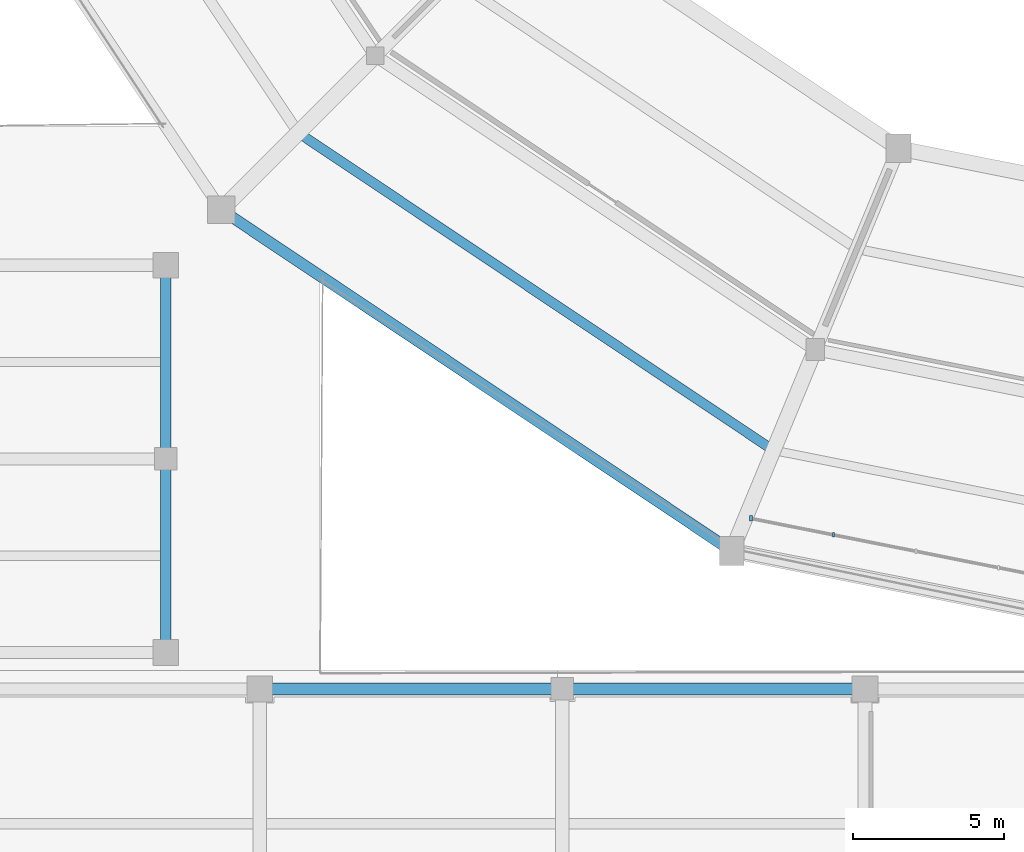
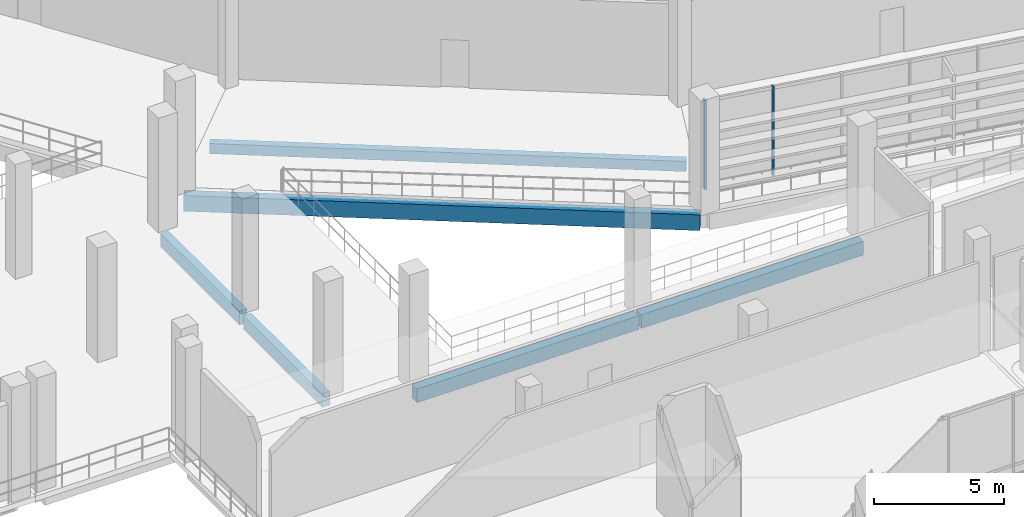
# One storey, part 14 of 114: 6 beams, 2 members, 1 element without a shape of its own.
"""IFC4 building model written with IfcOpenShell, lengths in metres."""

from ifc_helpers import new_model, si_unit, direction, frame, origin, origin_2d, place, context, subcontext, project, spatial, rectangle, extrude, material, material_profile, profile_set, type_object, element, aggregate, save


model = new_model("IFC4")

# Units and contexts
model_context = context("Model", 3, precision=1e-05, world=origin(), true_north=direction((0.0, 1.0)))
body_context = subcontext(model_context, "Body", "Model", "MODEL_VIEW")
ifc_project = project(units=[si_unit("LENGTHUNIT", "METRE"), si_unit("AREAUNIT", "SQUARE_METRE"), si_unit("VOLUMEUNIT", "CUBIC_METRE"), si_unit("PLANEANGLEUNIT", "RADIAN"), si_unit("MASSUNIT", "GRAM", prefix="KILO")], contexts=[model_context])

# Site, building, storey
site_placement = place(None, origin())
site = spatial("IfcSite", under=ifc_project, at=site_placement, CompositionType="ELEMENT")
building_placement = place(site_placement, origin())
building = spatial("IfcBuilding", under=site, at=building_placement, Name="Candeia Ridge Stadium", CompositionType="ELEMENT")
storey_placement = place(building_placement, frame((0.0, 0.0, 5.39990234375)))
storey = spatial("IfcBuildingStorey", under=building, at=storey_placement, Name="L01", CompositionType="ELEMENT", Elevation=5.39990234375)

# Curtain wall, members
ifc_material_1 = material(Name="Aluminium Anodized Warm Bronze", Category="aluminium")
curtain_wall_type = type_object("IfcCurtainWallType", Name="Concourse Recessed Unitised Curtain Wall", PredefinedType="NOTDEFINED", material=ifc_material_1)
curtain_wall_placement = place(storey_placement, origin())
curtain_wall = element("IfcCurtainWall", 1, at=curtain_wall_placement, inside=storey, type_object=curtain_wall_type, Name="Unitised curtain wall CW-BWL-L01-17", PredefinedType="NOTDEFINED")
ifc_material_profile_1 = material_profile(ifc_material_1, rectangle(XDim=0.090087890625, YDim=0.179931640625, at=origin_2d()), Name="CWM-90x180", Category="aluminium")
ifc_profile_set_1 = profile_set([ifc_material_profile_1], Name="Aluminium Anodized Warm Bronze")
member_type_1 = type_object("IfcMemberType", Name="Curtain Wall Primary Mullion 90x180", PredefinedType="MULLION", material=ifc_profile_set_1)
member_1_placement = place(storey_placement, frame((51.736083984375, 24.03173828125, 0.0), z_axis=(0.0, 0.0, 1.0), x_axis=(1.0, 0.0, 0.0)))
member_1 = element("IfcMember", 2, at=member_1_placement, type_object=member_type_1, Name="Curtain wall mullion CW-BWL-L01-17-M0", PredefinedType="MULLION", context=body_context, shape_type="SweptSolid", body=[
    extrude(rectangle(XDim=0.090087890625, YDim=0.179931640625, at=origin_2d()), origin(), (0.0, 0.0, 1.0), 4.205078125),
])
ifc_material_profile_2 = material_profile(ifc_material_1, rectangle(XDim=0.074951171875, YDim=0.14990234375, at=origin_2d()), Name="CWM-75x150", Category="aluminium")
ifc_profile_set_2 = profile_set([ifc_material_profile_2], Name="Aluminium Anodized Warm Bronze")
member_type_2 = type_object("IfcMemberType", Name="Curtain Wall Secondary Mullion 75x150", PredefinedType="MULLION", material=ifc_profile_set_2)
member_2_placement = place(storey_placement, frame((54.462890625, 23.489501953125, 0.0), z_axis=(0.0, 0.0, 1.0), x_axis=(1.0, 0.0, 0.0)))
member_2 = element("IfcMember", 3, at=member_2_placement, type_object=member_type_2, Name="Curtain wall mullion CW-BWL-L01-17-M1", PredefinedType="MULLION", context=body_context, shape_type="SweptSolid", body=[
    extrude(rectangle(XDim=0.074951171875, YDim=0.14990234375, at=origin_2d()), origin(), (0.0, 0.0, 1.0), 4.205078125),
])
aggregate(curtain_wall, [member_1, member_2])

# Beams
ifc_material_2 = material(Name="Concrete C40/50", Category="concrete")
ifc_material_profile_3 = material_profile(ifc_material_2, rectangle(XDim=0.320068359375, YDim=0.47998046875, at=origin_2d()), Name="RC320x480", Category="concrete")
ifc_profile_set_3 = profile_set([ifc_material_profile_3], Name="Concrete C40/50")
beam_type_1 = type_object("IfcBeamType", Name="Floor Joist RC320x480", PredefinedType="JOIST", material=ifc_profile_set_3)
beam_1_placement = place(storey_placement, frame((36.960693359375, 36.652587890625, -0.5), z_axis=(0.831467306639, -0.555573683674, 0.0), x_axis=(0.555573683674, 0.831467306639, 0.0)))
element("IfcBeam", 4, at=beam_1_placement, inside=storey, type_object=beam_type_1, Name="Concourse secondary joist BM-L01-0152", PredefinedType="JOIST", context=body_context, shape_type="SweptSolid", body=[
    extrude(rectangle(XDim=0.320068359375, YDim=0.47998046875, at=origin_2d()), origin(), (0.0, 0.0, 1.0), 18.440673828125),
])
ifc_material_profile_4 = material_profile(ifc_material_2, rectangle(XDim=0.35009765625, YDim=0.64990234375, at=origin_2d()), Name="RC350x650", Category="concrete")
ifc_profile_set_4 = profile_set([ifc_material_profile_4], Name="Concrete C40/50")
beam_type_2 = type_object("IfcBeamType", Name="Spandrel Beam RC350x650", PredefinedType="SPANDREL", material=ifc_profile_set_4)
for number, where, z_axis, x_axis, name in (
    (5, (32.39990234375, 19.760009765625, -0.5849609375), (0.0, 1.0, 0.0), (-1.0, 0.0, 0.0), "Structural girder BM-L01-2064"),
    (6, (32.39990234375, 26.159912109375, -0.5849609375), (0.0, 1.0, 0.0), (-1.0, 0.0, 0.0), "Structural girder BM-L01-2065"),
):
    element("IfcBeam", number, at=place(storey_placement, frame(where, z_axis=z_axis, x_axis=x_axis)), inside=storey, type_object=beam_type_2, Name=name, PredefinedType="SPANDREL", context=body_context, shape_type="SweptSolid", body=[
        extrude(rectangle(XDim=0.35009765625, YDim=0.64990234375, at=origin_2d()), origin(), (0.0, 0.0, 1.0), 6.080078125),
    ])
ifc_material_3 = material(Name="Concrete C45/55", Category="concrete")
ifc_material_profile_5 = material_profile(ifc_material_3, rectangle(XDim=0.3701171875, YDim=0.739990234375, at=origin_2d()), Name="RC370x740", Category="concrete")
ifc_profile_set_5 = profile_set([ifc_material_profile_5], Name="Concrete C45/55")
beam_type_3 = type_object("IfcBeamType", Name="Spandrel Beam RC370x740", PredefinedType="SPANDREL", material=ifc_profile_set_5)
beam_2_placement = place(storey_placement, frame((34.363525390625, 34.1416015625, -0.6298828125), z_axis=(0.831468647505, -0.555571676938, 0.0), x_axis=(0.555571676938, 0.831468647505, 0.0)))
element("IfcBeam", 7, at=beam_2_placement, inside=storey, type_object=beam_type_3, Name="Bowl perimeter spandrel BM-L01-0150", PredefinedType="SPANDREL", context=body_context, shape_type="SweptSolid", body=[
    extrude(rectangle(XDim=0.3701171875, YDim=0.739990234375, at=origin_2d()), origin(), (0.0, 0.0, 1.0), 19.969482421875),
])
ifc_material_profile_6 = material_profile(ifc_material_2, rectangle(XDim=0.39990234375, YDim=0.64990234375, at=origin_2d()), Name="RC400x650", Category="concrete")
ifc_profile_set_6 = profile_set([ifc_material_profile_6], Name="Concrete C40/50")
beam_type_4 = type_object("IfcBeamType", Name="Wing Primary Girder RC400x650", PredefinedType="BEAM", material=ifc_profile_set_6)
for number, where, z_axis, x_axis, name in (
    (8, (35.550048828125, 18.39990234375, -0.5849609375), (1.0, 0.0, 0.0), (0.0, 1.0, 0.0), "Structural girder BM-L01-1959"),
    (9, (45.550048828125, 18.39990234375, -0.5849609375), (1.0, 0.0, 0.0), (0.0, 1.0, 0.0), "Structural girder BM-L01-1964"),
):
    element("IfcBeam", number, at=place(storey_placement, frame(where, z_axis=z_axis, x_axis=x_axis)), inside=storey, type_object=beam_type_4, Name=name, PredefinedType="BEAM", context=body_context, shape_type="SweptSolid", body=[
        extrude(rectangle(XDim=0.39990234375, YDim=0.64990234375, at=origin_2d()), origin(), (0.0, 0.0, 1.0), 9.89990234375),
    ])

save(model, "model.ifc")
